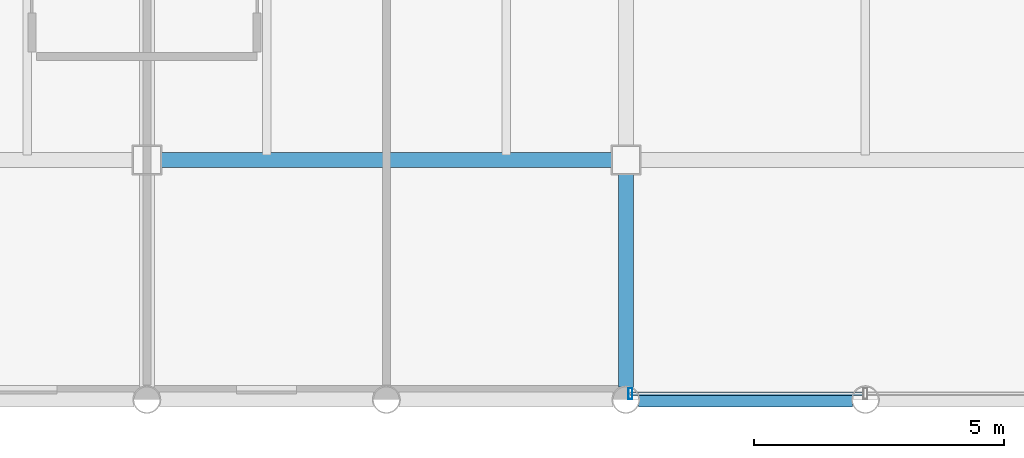
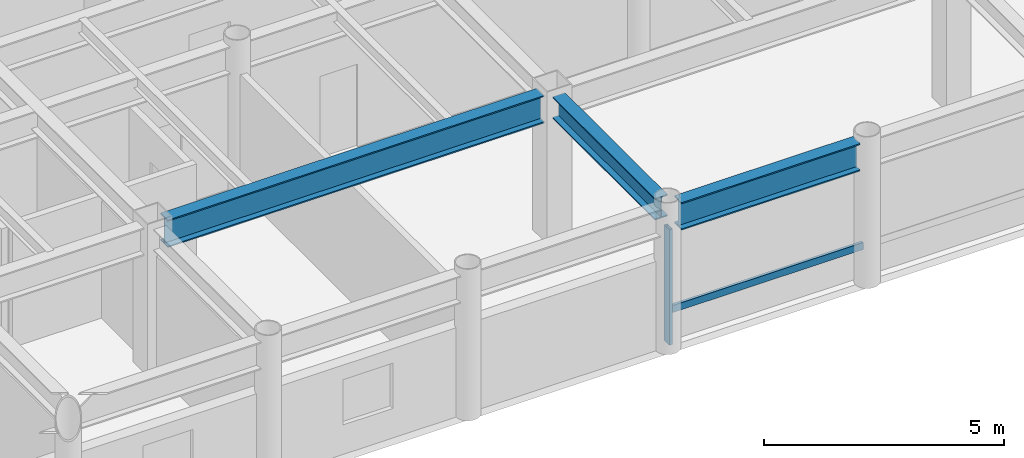
# One storey, part 4 of 22: 3 beams, 2 members, 1 element without a shape of its own.
"""IFC4 building model written with IfcOpenShell, lengths in metres."""

from ifc_helpers import new_model, si_unit, direction, frame, origin, origin_2d, place, context, subcontext, project, spatial, hollow_rectangle, i_section, extrude, material, layer, layer_set, material_profile, profile_set, type_object, element, aggregate, save


model = new_model("IFC4")

# Units and contexts
model_context = context("Model", 3, precision=1e-05, world=origin(), true_north=direction((0.0, 1.0)))
body_context = subcontext(model_context, "Body", "Model", "MODEL_VIEW")
ifc_project = project(units=[si_unit("LENGTHUNIT", "METRE"), si_unit("AREAUNIT", "SQUARE_METRE"), si_unit("VOLUMEUNIT", "CUBIC_METRE"), si_unit("PLANEANGLEUNIT", "RADIAN"), si_unit("MASSUNIT", "GRAM", prefix="KILO")], contexts=[model_context])

# Site, building, storey
site_placement = place(None, origin())
site = spatial("IfcSite", under=ifc_project, at=site_placement, CompositionType="ELEMENT")
building_placement = place(site_placement, origin())
building = spatial("IfcBuilding", under=site, at=building_placement, Name="Kallvorn Hotel Tower", CompositionType="ELEMENT")
storey_placement = place(building_placement, frame((0.0, 0.0, 260.800048828125)))
storey = spatial("IfcBuildingStorey", under=building, at=storey_placement, Name="L65", CompositionType="ELEMENT", Elevation=260.800048828125)

# Beams
ifc_material_1 = material(Name="Structural steel S355JR", Category="steel")
ifc_material_profile_1 = material_profile(ifc_material_1, i_section(OverallWidth=0.300048828125, OverallDepth=0.550048828125, WebThickness=0.014892578125, FlangeThickness=0.029052734375, at=origin_2d()), Name="HE 550 B")
ifc_profile_set_1 = profile_set([ifc_material_profile_1], Name="Structural steel S355JR")
beam_type_1 = type_object("IfcBeamType", Name="BM_HE550B", PredefinedType="SPANDREL", material=ifc_profile_set_1)
beam_1_placement = place(storey_placement, frame((-4.800048828125, -18.945556640625, 3.39501953125), z_axis=(0.0, 1.0, 0.0), x_axis=(-1.0, 0.0, 0.0)))
element("IfcBeam", 1, at=beam_1_placement, inside=storey, type_object=beam_type_1, Name="L66 Primary Y-Girder 106", PredefinedType="SPANDREL", context=body_context, shape_type="SweptSolid", body=[
    extrude(i_section(OverallWidth=0.300048828125, OverallDepth=0.550048828125, WebThickness=0.014892578125, FlangeThickness=0.029052734375, at=origin_2d()), origin(), (0.0, 0.0, 1.0), 4.2705078125),
])
ifc_material_2 = material(Name="Structural steel S355JR", Category="steel")
ifc_material_profile_2 = material_profile(ifc_material_2, i_section(OverallWidth=0.300048828125, OverallDepth=0.699951171875, WebThickness=0.01708984375, FlangeThickness=0.031982421875, at=origin_2d()), Name="HE 700 B")
ifc_profile_set_2 = profile_set([ifc_material_profile_2], Name="Structural steel S355JR")
beam_type_2 = type_object("IfcBeamType", Name="BM_HE700B", PredefinedType="BEAM", material=ifc_profile_set_2)
beam_2_placement = place(storey_placement, frame((-4.54541015625, -19.199951171875, 3.320068359375), z_axis=(1.0, 0.0, 0.0), x_axis=(0.0, 1.0, 0.0)))
element("IfcBeam", 2, at=beam_2_placement, inside=storey, type_object=beam_type_2, Name="L66 Primary X-Girder 06", PredefinedType="BEAM", context=body_context, shape_type="SweptSolid", body=[
    extrude(i_section(OverallWidth=0.300048828125, OverallDepth=0.699951171875, WebThickness=0.01708984375, FlangeThickness=0.031982421875, at=origin_2d()), origin(), (0.0, 0.0, 1.0), 4.291015625),
])
beam_3_placement = place(storey_placement, frame((-14.125, -14.39990234375, 3.320068359375), z_axis=(1.0, 0.0, 0.0), x_axis=(0.0, 1.0, 0.0)))
element("IfcBeam", 3, at=beam_3_placement, inside=storey, type_object=beam_type_2, Name="L66 Primary X-Girder 17", PredefinedType="BEAM", context=body_context, shape_type="SweptSolid", body=[
    extrude(i_section(OverallWidth=0.300048828125, OverallDepth=0.699951171875, WebThickness=0.01708984375, FlangeThickness=0.031982421875, at=origin_2d()), origin(), (0.0, 0.0, 1.0), 9.050048828125),
])

# Curtain wall, members
ifc_material_3 = material(Name="Thermally broken black-anodised aluminium AA 6063-T6", Category="aluminium")
ifc_layer = layer(ifc_material_3, 0.22998046875)
ifc_layer_set = layer_set([ifc_layer], Name="CW_SYS_5_HOTEL_HIGH")
curtain_wall_type = type_object("IfcCurtainWallType", Name="CW_SYS_5_HOTEL_HIGH", PredefinedType="USERDEFINED", material=ifc_layer_set)
curtain_wall_placement = place(storey_placement, origin())
curtain_wall = element("IfcCurtainWall", 4, at=curtain_wall_placement, inside=storey, type_object=curtain_wall_type, Name="L65 Dark-Glass Curtain Wall CW-L65-SC", ObjectType="UNITISED CURTAIN WALL", PredefinedType="USERDEFINED")
ifc_material_4 = material(Name="Thermally broken black-anodised aluminium AA 6063-T6", Category="aluminium")
ifc_material_profile_3 = material_profile(ifc_material_4, hollow_rectangle(XDim=0.080078125, YDim=0.219970703125, WallThickness=0.0048828125, at=origin_2d()), Name="MUL 220x80")
ifc_profile_set_3 = profile_set([ifc_material_profile_3], Name="Thermally broken black-anodised aluminium AA 6063-T6")
member_type_1 = type_object("IfcMemberType", Name="CW_MULLION_220x80", PredefinedType="MULLION", material=ifc_profile_set_3)
member_1_placement = place(storey_placement, frame((-4.7099609375, -19.080078125, 0.02001953125), z_axis=(0.0, 0.0, 1.0), x_axis=(1.0, 0.0, 0.0)))
member_1 = element("IfcMember", 5, at=member_1_placement, type_object=member_type_1, Name="CW-L65-SC Mullion 00", PredefinedType="MULLION", context=body_context, shape_type="SweptSolid", body=[
    extrude(hollow_rectangle(XDim=0.080078125, YDim=0.219970703125, WallThickness=0.0048828125, at=origin_2d()), origin(), (0.0, 0.0, 1.0), 2.929931640625),
])
ifc_material_5 = material(Name="Thermally broken black-anodised aluminium AA 6063-T6", Category="aluminium")
ifc_material_profile_4 = material_profile(ifc_material_5, hollow_rectangle(XDim=0.070068359375, YDim=0.179931640625, WallThickness=0.00390625, at=origin_2d()), Name="TRN 180x70")
ifc_profile_set_4 = profile_set([ifc_material_profile_4], Name="Thermally broken black-anodised aluminium AA 6063-T6")
member_type_2 = type_object("IfcMemberType", Name="CW_TRANSOM_180x70", PredefinedType="USERDEFINED", material=ifc_profile_set_4)
member_2_placement = place(storey_placement, frame((-4.7099609375, -19.080078125, 0.849853515625), z_axis=(1.0, 0.0, 0.0), x_axis=(0.0, 1.0, 0.0)))
member_2 = element("IfcMember", 6, at=member_2_placement, type_object=member_type_2, Name="CW-L65-SC Transom 00M", ObjectType="TRANSOM", PredefinedType="USERDEFINED", context=body_context, shape_type="SweptSolid", body=[
    extrude(hollow_rectangle(XDim=0.070068359375, YDim=0.179931640625, WallThickness=0.00390625, at=origin_2d()), origin(), (0.0, 0.0, 1.0), 4.669921875),
])
aggregate(curtain_wall, [member_1, member_2])

save(model, "model.ifc")
